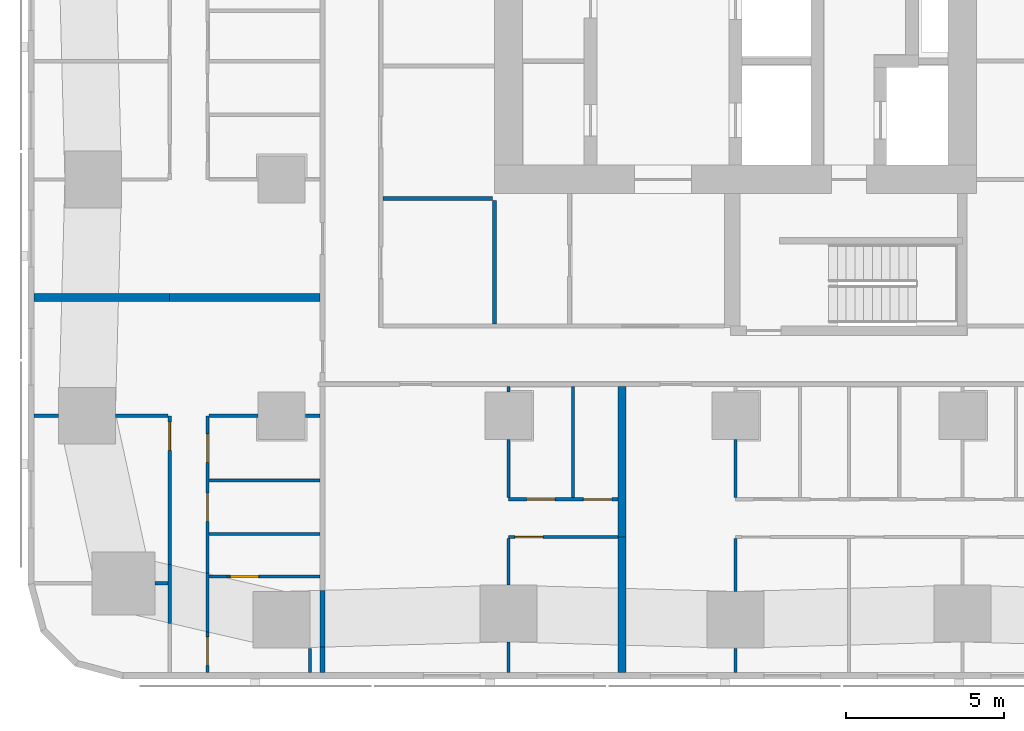
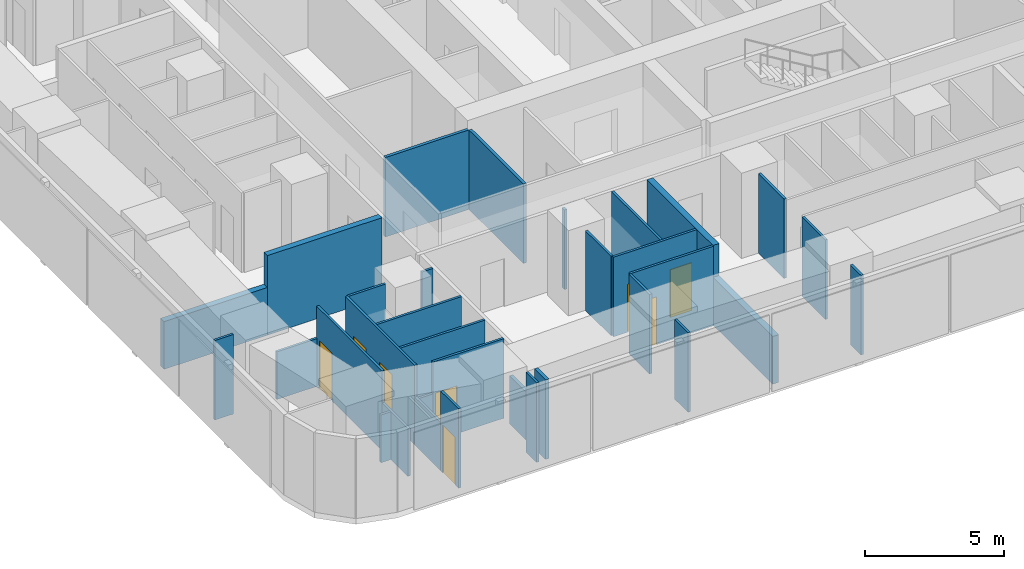
# One storey, part 2 of 15: 33 walls, 8 doors, 8 openings.
"""IFC4 building model written with IfcOpenShell, lengths in metres."""

import ifcopenshell
import ifcopenshell.guid

model = None  # the IFC model being written
_history = None  # IfcOwnerHistory: only IFC2X3 demands one
_inside = {}  # id of a spatial element -> (the spatial element, [elements in it])
_under = {}  # id of a project, library or spatial element -> (it, [spatial elements below it])
_declared = {}  # id of a project -> (the project, [libraries it declares])
_typed = {}  # id of a type object -> (the type object, [elements of that type])
_made_of = {}  # id of a material, layer set ... -> (it, [elements and type objects made of it])


def new_model(schema):
    """Start an empty IFC model of exactly this schema.

    Asked for "IFC4X3", IfcOpenShell would pick the latest addendum, in which some entities
    have other attributes; the version numbers below select the first issue.
    IFC2X3 requires an IfcOwnerHistory on every rooted entity: one is made here for all.
    """
    global model, _history
    if schema == "IFC4X3":
        model = ifcopenshell.file(schema_version=(4, 3, 0, 0))
    else:
        model = ifcopenshell.file(schema=schema)
    _inside.clear()
    _under.clear()
    _declared.clear()
    _typed.clear()
    _made_of.clear()
    _history = None
    if model.schema == "IFC2X3":
        org = make("IfcOrganization", Name="unknown")
        user = make(
            "IfcPersonAndOrganization",
            ThePerson=make("IfcPerson", FamilyName="unknown"),
            TheOrganization=org,
        )
        app = make(
            "IfcApplication",
            ApplicationDeveloper=org,
            Version="unknown",
            ApplicationFullName="unknown",
            ApplicationIdentifier="unknown",
        )
        _history = make(
            "IfcOwnerHistory",
            OwningUser=user,
            OwningApplication=app,
            ChangeAction="ADDED",
            CreationDate=0,
        )
    return model


def make(cls, **values):
    """One entity of the class cls with the attributes given. An attribute that is None is left unset."""
    return model.create_entity(
        cls, **{name: value for name, value in values.items() if value is not None}
    )


def rooted(cls, **values):
    """An entity with a GlobalId (a new one), such as an element, a storey or a relation."""
    return make(cls, GlobalId=ifcopenshell.guid.new(), OwnerHistory=_history, **values)


def si_unit(unit_type, name, prefix=None):
    """IfcSIUnit, for example si_unit("LENGTHUNIT", "METRE", prefix="MILLI")."""
    return make("IfcSIUnit", UnitType=unit_type, Prefix=prefix, Name=name)


def assignment(units):
    """IfcUnitAssignment: the units of a project."""
    return None if units is None else make("IfcUnitAssignment", Units=units)


def point(xyz):
    """IfcCartesianPoint."""
    return None if xyz is None else make("IfcCartesianPoint", Coordinates=xyz)


def direction(xyz):
    """IfcDirection."""
    return None if xyz is None else make("IfcDirection", DirectionRatios=xyz)


def frame(location, z_axis=None, x_axis=None):
    """IfcAxis2Placement3D, a coordinate frame: its origin and axes. An axis left out is left unset."""
    return make(
        "IfcAxis2Placement3D",
        Location=point(location),
        Axis=direction(z_axis),
        RefDirection=direction(x_axis),
    )


def frame_2d(location, x_axis=None):
    """IfcAxis2Placement2D, a coordinate frame in the plane: its origin and x axis."""
    return make(
        "IfcAxis2Placement2D", Location=point(location), RefDirection=direction(x_axis)
    )


def origin():
    """The frame at (0, 0, 0) with its axes left unset."""
    return frame((0.0, 0.0, 0.0))


def place(relative_to, where):
    """IfcLocalPlacement: puts the frame where relative to a parent placement (None: the world)."""
    return make(
        "IfcLocalPlacement", PlacementRelTo=relative_to, RelativePlacement=where
    )


def context(
    kind, dimensions, precision=None, world=None, true_north=None, identifier=None
):
    """IfcGeometricRepresentationContext, for example the 3D "Model" context."""
    return make(
        "IfcGeometricRepresentationContext",
        ContextIdentifier=identifier,
        ContextType=kind,
        CoordinateSpaceDimension=dimensions,
        Precision=precision,
        WorldCoordinateSystem=world,
        TrueNorth=true_north,
    )


def subcontext(parent, identifier, kind, view, scale=None):
    """IfcGeometricRepresentationSubContext, for example "Body" below "Model"."""
    return make(
        "IfcGeometricRepresentationSubContext",
        ContextIdentifier=identifier,
        ContextType=kind,
        ParentContext=parent,
        TargetScale=scale,
        TargetView=view,
    )


def project(units=None, contexts=None):
    """IfcProject with its units and contexts."""
    return rooted(
        "IfcProject",
        Name="project",
        RepresentationContexts=contexts,
        UnitsInContext=assignment(units),
    )


def spatial(cls, under=None, at=None, **own):
    """A site, building, storey or space (cls), placed at a placement, below another one or the project."""
    s = rooted(cls, ObjectPlacement=at, **own)
    if under is not None:
        _under.setdefault(under.id(), (under, []))[1].append(s)
    return s


def profile(cls, at=None, kind="AREA", **sizes):
    """A parametric profile (cls). Its sizes go by their IFC names, for example OverallWidth=200.0."""
    return make(cls, ProfileType=kind, Position=at, **sizes)


def rectangle(**sizes):
    """IfcRectangleProfileDef."""
    return profile("IfcRectangleProfileDef", **sizes)


def extrude(swept, where, along, depth):
    """IfcExtrudedAreaSolid: the profile swept, set in the frame where, extruded along a direction by depth."""
    return make(
        "IfcExtrudedAreaSolid",
        SweptArea=swept,
        Position=where,
        ExtrudedDirection=direction(along),
        Depth=depth,
    )


def shape(context_of_items, identifier, shape_type, items):
    """IfcShapeRepresentation: the items that make up one representation, for example the "Body"."""
    return make(
        "IfcShapeRepresentation",
        ContextOfItems=context_of_items,
        RepresentationIdentifier=identifier,
        RepresentationType=shape_type,
        Items=items,
    )


def material(Name=None, Category=None):
    """IfcMaterial."""
    return make("IfcMaterial", Name=Name, Category=Category)


def layer(
    of_material, thickness, ventilated=None, Name=None, Category=None, Priority=None
):
    """IfcMaterialLayer: one layer of a wall or slab, of a material (None: an air gap)."""
    return make(
        "IfcMaterialLayer",
        Material=of_material,
        LayerThickness=thickness,
        IsVentilated=ventilated,
        Name=Name,
        Category=Category,
        Priority=Priority,
    )


def layer_set(layers, Name=None):
    """IfcMaterialLayerSet."""
    return make("IfcMaterialLayerSet", MaterialLayers=layers, LayerSetName=Name)


def made_of(thing, what):
    """Note that an element or type object is made of a material, layer set ...; save() writes the relation."""
    if what is not None:
        _made_of.setdefault(what.id(), (what, []))[1].append(thing)
    return thing


def type_object(cls, material=None, **own):
    """A type object (cls), such as IfcWallType, which elements share."""
    return made_of(rooted(cls, **own), material)


def element(
    cls,
    number,
    at=None,
    inside=None,
    cuts=None,
    type_object=None,
    material=None,
    context=None,
    identifier="Body",
    shape_type=None,
    held_by="IfcProductDefinitionShape",
    body=None,
    shapes=None,
    **own,
):
    """One element of the class cls, such as IfcWall. Its Tag is "e" and its number.

    at: its placement. inside: the storey or other place that contains it. cuts: it is an
    opening in that element (IfcRelVoidsElement). A single representation is given by context,
    identifier, shape_type and body (its items); several are given by shapes. held_by: the class
    of the entity that holds the representations. save() writes the other relations.
    """
    e = rooted(cls, Tag="e%d" % number, ObjectPlacement=at, **own)
    if body is not None:
        shapes = [shape(context, identifier, shape_type, body)]
    if shapes is not None:
        e.Representation = make(held_by, Representations=shapes)
    if inside is not None:
        _inside.setdefault(inside.id(), (inside, []))[1].append(e)
    if cuts is not None:
        rooted(
            "IfcRelVoidsElement", RelatingBuildingElement=cuts, RelatedOpeningElement=e
        )
    if type_object is not None:
        _typed.setdefault(type_object.id(), (type_object, []))[1].append(e)
    return made_of(e, material)


def fill(opening, filler):
    """IfcRelFillsElement: the door or window that sits in an opening."""
    return rooted(
        "IfcRelFillsElement",
        RelatingOpeningElement=opening,
        RelatedBuildingElement=filler,
    )


def aggregate(whole, parts):
    """IfcRelAggregates: a whole, such as a stair, and the parts it consists of."""
    return rooted("IfcRelAggregates", RelatingObject=whole, RelatedObjects=parts)


def save(model, path):
    """Write the relations noted so far, then the file.

    IfcRelAggregates (storeys below a building ...), IfcRelContainedInSpatialStructure (elements
    in a storey), IfcRelDefinesByType, IfcRelAssociatesMaterial and IfcRelDeclares: one each for
    every whole, place, type object, material and project.
    """
    for whole, parts in _under.values():
        aggregate(whole, parts)
    for where, things in _inside.values():
        rooted(
            "IfcRelContainedInSpatialStructure",
            RelatedElements=things,
            RelatingStructure=where,
        )
    for kind, things in _typed.values():
        rooted("IfcRelDefinesByType", RelatedObjects=things, RelatingType=kind)
    for what, things in _made_of.values():
        rooted("IfcRelAssociatesMaterial", RelatedObjects=things, RelatingMaterial=what)
    for by, libraries in _declared.values():
        rooted("IfcRelDeclares", RelatingContext=by, RelatedDefinitions=libraries)
    model.write(path)


model = new_model("IFC4")

# Units and contexts
model_context = context("Model", 3, precision=1e-05, world=origin(), true_north=direction((0.0, 1.0)))
body_context = subcontext(model_context, "Body", "Model", "MODEL_VIEW")
ifc_project = project(units=[si_unit("LENGTHUNIT", "METRE"), si_unit("AREAUNIT", "SQUARE_METRE"), si_unit("VOLUMEUNIT", "CUBIC_METRE"), si_unit("PLANEANGLEUNIT", "RADIAN"), si_unit("MASSUNIT", "GRAM", prefix="KILO")], contexts=[model_context])

# Site, building, storey
site_placement = place(None, origin())
site = spatial("IfcSite", under=ifc_project, at=site_placement, CompositionType="ELEMENT")
building_placement = place(site_placement, origin())
building = spatial("IfcBuilding", under=site, at=building_placement, Name="Sheger Commons Tower", CompositionType="ELEMENT")
storey_placement = place(building_placement, frame((0.0, 0.0, 143.300048828125)))
storey = spatial("IfcBuildingStorey", under=building, at=storey_placement, Name="L36", CompositionType="ELEMENT", Elevation=143.300048828125)

# Walls
ifc_material_1 = material(Name="Hollow concrete block masonry, skimmed both sides", Category="masonry")
ifc_layer_1 = layer(ifc_material_1, 0.14990234375)
ifc_layer_set_1 = layer_set([ifc_layer_1], Name="CORRIDOR WALL 150")
wall_type_1 = type_object("IfcWallType", Name="CORRIDOR WALL 150", PredefinedType="SOLIDWALL", material=ifc_layer_set_1)
wall_1_placement = place(storey_placement, frame((8.5, -0.64990234375, 0.0), z_axis=(0.0, 0.0, 1.0), x_axis=(0.0, 1.0, 0.0)))
element("IfcWall", 1, at=wall_1_placement, inside=storey, type_object=wall_type_1, Name="Corridor wall L36", PredefinedType="SOLIDWALL", context=body_context, shape_type="SweptSolid", body=[
    extrude(rectangle(XDim=0.808837890625, YDim=0.14990234375, at=frame_2d((0.404296875, 0.0))), origin(), (0.0, 0.0, 1.0), 3.5),
])
wall_2_placement = place(storey_placement, frame((8.5, 0.158935546875, 0.0), z_axis=(0.0, 0.0, 1.0), x_axis=(0.0, 1.0, 0.0)))
element("IfcWall", 2, at=wall_2_placement, inside=storey, type_object=wall_type_1, Name="Corridor wall L36", PredefinedType="SOLIDWALL", context=body_context, shape_type="SweptSolid", body=[
    extrude(rectangle(XDim=1.80517578125, YDim=0.14990234375, at=frame_2d((0.902587890625, 0.0))), origin(), (0.0, 0.0, 1.0), 2.099853515625),
])
ifc_material_2 = material(Name="Dense concrete block masonry, plastered both sides (separating wall between flats)", Category="masonry")
ifc_layer_2 = layer(ifc_material_2, 0.25)
ifc_layer_set_2 = layer_set([ifc_layer_2], Name="DEMISING WALL 250")
wall_type_2 = type_object("IfcWallType", Name="DEMISING WALL 250", PredefinedType="SOLIDWALL", material=ifc_layer_set_2)
wall_3_placement = place(storey_placement, frame((-0.64990234375, 11.25, 0.0), z_axis=(0.0, 0.0, 1.0), x_axis=(1.0, 0.0, 0.0)))
element("IfcWall", 3, at=wall_3_placement, inside=storey, type_object=wall_type_2, Name="Demising wall L36", PredefinedType="SOLIDWALL", context=body_context, shape_type="SweptSolid", body=[
    extrude(rectangle(XDim=4.2998046875, YDim=0.25, at=frame_2d((2.14990234375, 0.0))), origin(), (0.0, 0.0, 1.0), 2.099853515625),
])
wall_4_placement = place(storey_placement, frame((3.64990234375, 11.25, 0.0), z_axis=(0.0, 0.0, 1.0), x_axis=(1.0, 0.0, 0.0)))
element("IfcWall", 4, at=wall_4_placement, inside=storey, type_object=wall_type_2, Name="Demising wall L36", PredefinedType="SOLIDWALL", context=body_context, shape_type="SweptSolid", body=[
    extrude(rectangle(XDim=4.775146484375, YDim=0.25, at=frame_2d((2.3876953125, 0.0))), origin(), (0.0, 0.0, 1.0), 3.5),
])
wall_5_placement = place(storey_placement, frame((18.0, -0.64990234375, 0.0), z_axis=(0.0, 0.0, 1.0), x_axis=(0.0, 1.0, 0.0)))
element("IfcWall", 5, at=wall_5_placement, inside=storey, type_object=wall_type_2, Name="Demising wall L36", PredefinedType="SOLIDWALL", context=body_context, shape_type="SweptSolid", body=[
    extrude(rectangle(XDim=4.2998046875, YDim=0.25, at=frame_2d((2.14990234375, 0.0))), origin(), (0.0, 0.0, 1.0), 2.099853515625),
])
wall_6_placement = place(storey_placement, frame((18.0, 3.64990234375, 0.0), z_axis=(0.0, 0.0, 1.0), x_axis=(0.0, 1.0, 0.0)))
element("IfcWall", 6, at=wall_6_placement, inside=storey, type_object=wall_type_2, Name="Demising wall L36", PredefinedType="SOLIDWALL", context=body_context, shape_type="SweptSolid", body=[
    extrude(rectangle(XDim=4.775146484375, YDim=0.25, at=frame_2d((2.3876953125, 0.0))), origin(), (0.0, 0.0, 1.0), 3.5),
])
ifc_material_3 = material(Name="Gypsum board on steel studs", Category="steel")
ifc_layer_3 = layer(ifc_material_3, 0.10009765625)
ifc_layer_set_3 = layer_set([ifc_layer_3], Name="PARTITION 100")
wall_type_3 = type_object("IfcWallType", Name="PARTITION 100", PredefinedType="PARTITIONING", material=ifc_layer_set_3)
wall_7_placement = place(storey_placement, frame((8.10009765625, 0.1240234375, 0.0), z_axis=(0.0, 0.0, 1.0), x_axis=(0.0, -1.0, 0.0)))
element("IfcWall", 7, at=wall_7_placement, inside=storey, type_object=wall_type_3, Name="Partition L36", PredefinedType="PARTITIONING", context=body_context, shape_type="SweptSolid", body=[
    extrude(rectangle(XDim=0.77392578125, YDim=0.10009765625, at=frame_2d((0.386962890625, 0.0))), origin(), (0.0, 0.0, 1.0), 3.5),
])
wall_8_placement = place(storey_placement, frame((3.64990234375, 0.912109375, 0.0), z_axis=(0.0, 0.0, 1.0), x_axis=(0.0, 1.0, 0.0)))
element("IfcWall", 8, at=wall_8_placement, inside=storey, type_object=wall_type_3, Name="Partition L36", PredefinedType="PARTITIONING", context=body_context, shape_type="SweptSolid", body=[
    extrude(rectangle(XDim=1.869873046875, YDim=0.10009765625, at=frame_2d((0.93505859375, 0.0))), origin(), (0.0, 0.0, 1.0), 2.099853515625),
])

# Wall, opening, door
wall_9_placement = place(storey_placement, frame((3.64990234375, 2.781982421875, 0.0), z_axis=(0.0, 0.0, 1.0), x_axis=(0.0, 1.0, 0.0)))
wall_9 = element("IfcWall", 9, at=wall_9_placement, inside=storey, type_object=wall_type_3, Name="Partition L36", PredefinedType="PARTITIONING", context=body_context, shape_type="SweptSolid", body=[
    extrude(rectangle(XDim=4.718017578125, YDim=0.10009765625, at=frame_2d((2.35888671875, 0.0))), origin(), (0.0, 0.0, 1.0), 3.5),
])
opening_1_placement = place(wall_9_placement, frame((3.617919921875, 0.0, 0.0)))
opening_1 = element("IfcOpeningElement", 10, at=opening_1_placement, cuts=wall_9, Name="Opening D2", PredefinedType="OPENING", context=body_context, shape_type="SweptSolid", body=[
    extrude(rectangle(XDim=0.89990234375, YDim=2.10009765625, at=frame_2d((0.449951171875, 1.050048828125))), frame((0.0, 0.06005859375, 0.0), z_axis=(0.0, -1.0, 0.0), x_axis=(1.0, 0.0, 0.0)), (0.0, 0.0, 1.0), 0.1201171875),
])
ifc_material_4 = material(Name="Timber door set", Category="wood")
door_type = type_object("IfcDoorType", Name="INTERNAL DOOR 900x2100", OperationType="NOTDEFINED", PredefinedType="DOOR", material=ifc_material_4)
door_1_placement = place(opening_1_placement, origin())
door_1 = element("IfcDoor", 11, at=door_1_placement, inside=storey, type_object=door_type, Name="Main bedroom door", OperationType="SINGLE_SWING_RIGHT", OverallHeight=2.10009765625, OverallWidth=0.89990234375, PredefinedType="DOOR", context=body_context, shape_type="SweptSolid", body=[
    extrude(rectangle(XDim=0.89990234375, YDim=2.10009765625, at=frame_2d((0.449951171875, 1.050048828125))), frame((0.0, 0.02490234375, 0.0), z_axis=(0.0, -1.0, 0.0), x_axis=(1.0, 0.0, 0.0)), (0.0, 0.0, 1.0), 0.050048828125),
])
fill(opening_1, door_1)

wall_10_placement = place(storey_placement, frame((4.85009765625, -0.64990234375, 0.0), z_axis=(0.0, 0.0, 1.0), x_axis=(0.0, 1.0, 0.0)))
wall_10 = element("IfcWall", 12, at=wall_10_placement, inside=storey, type_object=wall_type_3, Name="Partition L36", PredefinedType="PARTITIONING", context=body_context, shape_type="SweptSolid", body=[
    extrude(rectangle(XDim=1.283935546875, YDim=0.10009765625, at=frame_2d((0.64208984375, 0.0))), origin(), (0.0, 0.0, 1.0), 3.5),
])
opening_2_placement = place(wall_10_placement, frame((0.23388671875, 0.0, 0.0)))
opening_2 = element("IfcOpeningElement", 13, at=opening_2_placement, cuts=wall_10, Name="Opening D2", PredefinedType="OPENING", context=body_context, shape_type="SweptSolid", body=[
    extrude(rectangle(XDim=0.89990234375, YDim=2.10009765625, at=frame_2d((0.449951171875, 1.050048828125))), frame((0.0, 0.06005859375, 0.0), z_axis=(0.0, -1.0, 0.0), x_axis=(1.0, 0.0, 0.0)), (0.0, 0.0, 1.0), 0.1201171875),
])
door_2_placement = place(opening_2_placement, origin())
door_2 = element("IfcDoor", 14, at=door_2_placement, inside=storey, type_object=door_type, Name="Store and laundry door", OperationType="SINGLE_SWING_LEFT", OverallHeight=2.10009765625, OverallWidth=0.89990234375, PredefinedType="DOOR", context=body_context, shape_type="SweptSolid", body=[
    extrude(rectangle(XDim=0.89990234375, YDim=2.10009765625, at=frame_2d((0.449951171875, 1.050048828125))), frame((0.0, 0.02490234375, 0.0), z_axis=(0.0, -1.0, 0.0), x_axis=(1.0, 0.0, 0.0)), (0.0, 0.0, 1.0), 0.050048828125),
])
fill(opening_2, door_2)

# Wall
wall_11_placement = place(storey_placement, frame((4.85009765625, 0.634033203125, 0.0), z_axis=(0.0, 0.0, 1.0), x_axis=(0.0, 1.0, 0.0)))
element("IfcWall", 15, at=wall_11_placement, inside=storey, type_object=wall_type_3, Name="Partition L36", PredefinedType="PARTITIONING", context=body_context, shape_type="SweptSolid", body=[
    extrude(rectangle(XDim=1.870849609375, YDim=0.10009765625, at=frame_2d((0.935546875, 0.0))), origin(), (0.0, 0.0, 1.0), 2.099853515625),
])

# Wall, openings, doors
wall_12_placement = place(storey_placement, frame((4.85009765625, 2.5048828125, 0.0), z_axis=(0.0, 0.0, 1.0), x_axis=(0.0, 1.0, 0.0)))
wall_12 = element("IfcWall", 16, at=wall_12_placement, inside=storey, type_object=wall_type_3, Name="Partition L36", PredefinedType="PARTITIONING", context=body_context, shape_type="SweptSolid", body=[
    extrude(rectangle(XDim=4.9951171875, YDim=0.10009765625, at=frame_2d((2.49755859375, 0.0))), origin(), (0.0, 0.0, 1.0), 3.5),
])
opening_3_placement = place(wall_12_placement, frame((3.52001953125, 0.0, 0.0)))
opening_3 = element("IfcOpeningElement", 17, at=opening_3_placement, cuts=wall_12, Name="Opening D2", PredefinedType="OPENING", context=body_context, shape_type="SweptSolid", body=[
    extrude(rectangle(XDim=0.89990234375, YDim=2.10009765625, at=frame_2d((0.449951171875, 1.050048828125))), frame((0.0, 0.06005859375, 0.0), z_axis=(0.0, -1.0, 0.0), x_axis=(1.0, 0.0, 0.0)), (0.0, 0.0, 1.0), 0.1201171875),
])
opening_4_placement = place(wall_12_placement, frame((1.64501953125, 0.0, 0.0)))
opening_4 = element("IfcOpeningElement", 18, at=opening_4_placement, cuts=wall_12, Name="Opening D2", PredefinedType="OPENING", context=body_context, shape_type="SweptSolid", body=[
    extrude(rectangle(XDim=0.89990234375, YDim=2.10009765625, at=frame_2d((0.449951171875, 1.050048828125))), frame((0.0, 0.06005859375, 0.0), z_axis=(0.0, -1.0, 0.0), x_axis=(1.0, 0.0, 0.0)), (0.0, 0.0, 1.0), 0.1201171875),
])
door_3_placement = place(opening_3_placement, origin())
door_3 = element("IfcDoor", 19, at=door_3_placement, inside=storey, type_object=door_type, Name="Bathroom door", OperationType="SINGLE_SWING_LEFT", OverallHeight=2.10009765625, OverallWidth=0.89990234375, PredefinedType="DOOR", context=body_context, shape_type="SweptSolid", body=[
    extrude(rectangle(XDim=0.89990234375, YDim=2.10009765625, at=frame_2d((0.449951171875, 1.050048828125))), frame((0.0, 0.02490234375, 0.0), z_axis=(0.0, -1.0, 0.0), x_axis=(1.0, 0.0, 0.0)), (0.0, 0.0, 1.0), 0.050048828125),
])
fill(opening_3, door_3)
door_4_placement = place(opening_4_placement, origin())
door_4 = element("IfcDoor", 20, at=door_4_placement, inside=storey, type_object=door_type, Name="Store door", OperationType="SINGLE_SWING_RIGHT", OverallHeight=2.10009765625, OverallWidth=0.89990234375, PredefinedType="DOOR", context=body_context, shape_type="SweptSolid", body=[
    extrude(rectangle(XDim=0.89990234375, YDim=2.10009765625, at=frame_2d((0.449951171875, 1.050048828125))), frame((0.0, 0.02490234375, 0.0), z_axis=(0.0, -1.0, 0.0), x_axis=(1.0, 0.0, 0.0)), (0.0, 0.0, 1.0), 0.050048828125),
])
fill(opening_4, door_4)

# Walls
wall_13_placement = place(storey_placement, frame((3.18701171875, 2.18603515625, 0.0), z_axis=(0.0, 0.0, 1.0), x_axis=(1.0, 0.0, 0.0)))
element("IfcWall", 21, at=wall_13_placement, inside=storey, type_object=wall_type_3, Name="Partition L36", PredefinedType="PARTITIONING", context=body_context, shape_type="SweptSolid", body=[
    extrude(rectangle(XDim=0.4130859375, YDim=0.10009765625, at=frame_2d((0.20654296875, 0.0))), origin(), (0.0, 0.0, 1.0), 2.099853515625),
])
wall_14_placement = place(storey_placement, frame((-0.64990234375, 7.5, 0.0), z_axis=(0.0, 0.0, 1.0), x_axis=(1.0, 0.0, 0.0)))
element("IfcWall", 22, at=wall_14_placement, inside=storey, type_object=wall_type_3, Name="Partition L36", PredefinedType="PARTITIONING", context=body_context, shape_type="SweptSolid", body=[
    extrude(rectangle(XDim=0.77392578125, YDim=0.10009765625, at=frame_2d((0.386962890625, 0.0))), origin(), (0.0, 0.0, 1.0), 3.5),
])
wall_15_placement = place(storey_placement, frame((1.926025390625, 7.5, 0.0), z_axis=(0.0, 0.0, 1.0), x_axis=(1.0, 0.0, 0.0)))
element("IfcWall", 23, at=wall_15_placement, inside=storey, type_object=wall_type_3, Name="Partition L36", PredefinedType="PARTITIONING", context=body_context, shape_type="SweptSolid", body=[
    extrude(rectangle(XDim=1.674072265625, YDim=0.10009765625, at=frame_2d((0.8369140625, 0.0))), origin(), (0.0, 0.0, 1.0), 2.099853515625),
])
wall_16_placement = place(storey_placement, frame((4.89990234375, 3.75, 0.0), z_axis=(0.0, 0.0, 1.0), x_axis=(1.0, 0.0, 0.0)))
element("IfcWall", 24, at=wall_16_placement, inside=storey, type_object=wall_type_3, Name="Partition L36", PredefinedType="PARTITIONING", context=body_context, shape_type="SweptSolid", body=[
    extrude(rectangle(XDim=3.525146484375, YDim=0.10009765625, at=frame_2d((1.7626953125, 0.0))), origin(), (0.0, 0.0, 1.0), 3.5),
])
wall_17_placement = place(storey_placement, frame((4.89990234375, 7.5, 0.0), z_axis=(0.0, 0.0, 1.0), x_axis=(1.0, 0.0, 0.0)))
element("IfcWall", 25, at=wall_17_placement, inside=storey, type_object=wall_type_3, Name="Partition L36", PredefinedType="PARTITIONING", context=body_context, shape_type="SweptSolid", body=[
    extrude(rectangle(XDim=1.549072265625, YDim=0.10009765625, at=frame_2d((0.7744140625, 0.0))), origin(), (0.0, 0.0, 1.0), 3.5),
])
wall_18_placement = place(storey_placement, frame((7.950927734375, 7.5, 0.0), z_axis=(0.0, 0.0, 1.0), x_axis=(1.0, 0.0, 0.0)))
element("IfcWall", 26, at=wall_18_placement, inside=storey, type_object=wall_type_3, Name="Partition L36", PredefinedType="PARTITIONING", context=body_context, shape_type="SweptSolid", body=[
    extrude(rectangle(XDim=0.47412109375, YDim=0.10009765625, at=frame_2d((0.237060546875, 0.0))), origin(), (0.0, 0.0, 1.0), 3.5),
])
wall_19_placement = place(storey_placement, frame((4.89990234375, 5.449951171875, 0.0), z_axis=(0.0, 0.0, 1.0), x_axis=(1.0, 0.0, 0.0)))
element("IfcWall", 27, at=wall_19_placement, inside=storey, type_object=wall_type_3, Name="Partition L36", PredefinedType="PARTITIONING", context=body_context, shape_type="SweptSolid", body=[
    extrude(rectangle(XDim=3.525146484375, YDim=0.10009765625, at=frame_2d((1.7626953125, 0.0))), origin(), (0.0, 0.0, 1.0), 3.5),
])

# Wall, opening, door
wall_20_placement = place(storey_placement, frame((17.875, 3.64990234375, 0.0), z_axis=(0.0, 0.0, 1.0), x_axis=(-1.0, 0.0, 0.0)))
wall_20 = element("IfcWall", 28, at=wall_20_placement, inside=storey, type_object=wall_type_3, Name="Partition L36", PredefinedType="PARTITIONING", context=body_context, shape_type="SweptSolid", body=[
    extrude(rectangle(XDim=3.47509765625, YDim=0.10009765625, at=frame_2d((1.737548828125, 0.0))), origin(), (0.0, 0.0, 1.0), 3.5),
])
opening_5_placement = place(wall_20_placement, frame((2.375, 0.0, 0.0)))
opening_5 = element("IfcOpeningElement", 29, at=opening_5_placement, cuts=wall_20, Name="Opening D2", PredefinedType="OPENING", context=body_context, shape_type="SweptSolid", body=[
    extrude(rectangle(XDim=0.89990234375, YDim=2.10009765625, at=frame_2d((0.449951171875, 1.050048828125))), frame((0.0, 0.06005859375, 0.0), z_axis=(0.0, -1.0, 0.0), x_axis=(1.0, 0.0, 0.0)), (0.0, 0.0, 1.0), 0.1201171875),
])
door_5_placement = place(opening_5_placement, origin())
door_5 = element("IfcDoor", 30, at=door_5_placement, inside=storey, type_object=door_type, Name="Main bedroom door", OperationType="SINGLE_SWING_RIGHT", OverallHeight=2.10009765625, OverallWidth=0.89990234375, PredefinedType="DOOR", context=body_context, shape_type="SweptSolid", body=[
    extrude(rectangle(XDim=0.89990234375, YDim=2.10009765625, at=frame_2d((0.449951171875, 1.050048828125))), frame((0.0, 0.02490234375, 0.0), z_axis=(0.0, -1.0, 0.0), x_axis=(1.0, 0.0, 0.0)), (0.0, 0.0, 1.0), 0.050048828125),
])
fill(opening_5, door_5)

# Wall, openings, doors
wall_21_placement = place(storey_placement, frame((17.875, 4.85009765625, 0.0), z_axis=(0.0, 0.0, 1.0), x_axis=(-1.0, 0.0, 0.0)))
wall_21 = element("IfcWall", 31, at=wall_21_placement, inside=storey, type_object=wall_type_3, Name="Partition L36", PredefinedType="PARTITIONING", context=body_context, shape_type="SweptSolid", body=[
    extrude(rectangle(XDim=3.47509765625, YDim=0.10009765625, at=frame_2d((1.737548828125, 0.0))), origin(), (0.0, 0.0, 1.0), 3.5),
])
opening_6_placement = place(wall_21_placement, frame((2.0, 0.0, 0.0)))
opening_6 = element("IfcOpeningElement", 32, at=opening_6_placement, cuts=wall_21, Name="Opening D2", PredefinedType="OPENING", context=body_context, shape_type="SweptSolid", body=[
    extrude(rectangle(XDim=0.89990234375, YDim=2.10009765625, at=frame_2d((0.449951171875, 1.050048828125))), frame((0.0, 0.06005859375, 0.0), z_axis=(0.0, -1.0, 0.0), x_axis=(1.0, 0.0, 0.0)), (0.0, 0.0, 1.0), 0.1201171875),
])
opening_7_placement = place(wall_21_placement, frame((0.199951171875, 0.0, 0.0)))
opening_7 = element("IfcOpeningElement", 33, at=opening_7_placement, cuts=wall_21, Name="Opening D2", PredefinedType="OPENING", context=body_context, shape_type="SweptSolid", body=[
    extrude(rectangle(XDim=0.89990234375, YDim=2.10009765625, at=frame_2d((0.449951171875, 1.050048828125))), frame((0.0, 0.06005859375, 0.0), z_axis=(0.0, -1.0, 0.0), x_axis=(1.0, 0.0, 0.0)), (0.0, 0.0, 1.0), 0.1201171875),
])
door_6_placement = place(opening_6_placement, origin())
door_6 = element("IfcDoor", 34, at=door_6_placement, inside=storey, type_object=door_type, Name="Bathroom door", OperationType="SINGLE_SWING_LEFT", OverallHeight=2.10009765625, OverallWidth=0.89990234375, PredefinedType="DOOR", context=body_context, shape_type="SweptSolid", body=[
    extrude(rectangle(XDim=0.89990234375, YDim=2.10009765625, at=frame_2d((0.449951171875, 1.050048828125))), frame((0.0, 0.02490234375, 0.0), z_axis=(0.0, -1.0, 0.0), x_axis=(1.0, 0.0, 0.0)), (0.0, 0.0, 1.0), 0.050048828125),
])
fill(opening_6, door_6)
door_7_placement = place(opening_7_placement, origin())
door_7 = element("IfcDoor", 35, at=door_7_placement, inside=storey, type_object=door_type, Name="Store door", OperationType="SINGLE_SWING_RIGHT", OverallHeight=2.10009765625, OverallWidth=0.89990234375, PredefinedType="DOOR", context=body_context, shape_type="SweptSolid", body=[
    extrude(rectangle(XDim=0.89990234375, YDim=2.10009765625, at=frame_2d((0.449951171875, 1.050048828125))), frame((0.0, 0.02490234375, 0.0), z_axis=(0.0, -1.0, 0.0), x_axis=(1.0, 0.0, 0.0)), (0.0, 0.0, 1.0), 0.050048828125),
])
fill(opening_7, door_7)

# Walls
wall_22_placement = place(storey_placement, frame((14.39990234375, -0.64990234375, 0.0), z_axis=(0.0, 0.0, 1.0), x_axis=(0.0, 1.0, 0.0)))
element("IfcWall", 36, at=wall_22_placement, inside=storey, type_object=wall_type_3, Name="Partition L36", PredefinedType="PARTITIONING", context=body_context, shape_type="SweptSolid", body=[
    extrude(rectangle(XDim=0.973876953125, YDim=0.10009765625, at=frame_2d((0.48681640625, 0.0))), origin(), (0.0, 0.0, 1.0), 3.5),
])
wall_23_placement = place(storey_placement, frame((14.39990234375, 2.1259765625, 0.0), z_axis=(0.0, 0.0, 1.0), x_axis=(0.0, 1.0, 0.0)))
element("IfcWall", 37, at=wall_23_placement, inside=storey, type_object=wall_type_3, Name="Partition L36", PredefinedType="PARTITIONING", context=body_context, shape_type="SweptSolid", body=[
    extrude(rectangle(XDim=1.47412109375, YDim=0.10009765625, at=frame_2d((0.737060546875, 0.0))), origin(), (0.0, 0.0, 1.0), 3.5),
])
wall_24_placement = place(storey_placement, frame((14.39990234375, 4.89990234375, 0.0), z_axis=(0.0, 0.0, 1.0), x_axis=(0.0, 1.0, 0.0)))
element("IfcWall", 38, at=wall_24_placement, inside=storey, type_object=wall_type_3, Name="Partition L36", PredefinedType="PARTITIONING", context=body_context, shape_type="SweptSolid", body=[
    extrude(rectangle(XDim=1.84912109375, YDim=0.10009765625, at=frame_2d((0.924560546875, 0.0))), origin(), (0.0, 0.0, 1.0), 3.5),
])
wall_25_placement = place(storey_placement, frame((14.39990234375, 8.2509765625, 0.0), z_axis=(0.0, 0.0, 1.0), x_axis=(0.0, 1.0, 0.0)))
element("IfcWall", 39, at=wall_25_placement, inside=storey, type_object=wall_type_3, Name="Partition L36", PredefinedType="PARTITIONING", context=body_context, shape_type="SweptSolid", body=[
    extrude(rectangle(XDim=0.174072265625, YDim=0.10009765625, at=frame_2d((0.0869140625, 0.0))), origin(), (0.0, 0.0, 1.0), 3.5),
])
wall_26_placement = place(storey_placement, frame((16.449951171875, 4.89990234375, 0.0), z_axis=(0.0, 0.0, 1.0), x_axis=(0.0, 1.0, 0.0)))
element("IfcWall", 40, at=wall_26_placement, inside=storey, type_object=wall_type_3, Name="Partition L36", PredefinedType="PARTITIONING", context=body_context, shape_type="SweptSolid", body=[
    extrude(rectangle(XDim=3.525146484375, YDim=0.10009765625, at=frame_2d((1.7626953125, 0.0))), origin(), (0.0, 0.0, 1.0), 3.5),
])
wall_27_placement = place(storey_placement, frame((21.60009765625, -0.64990234375, 0.0), z_axis=(0.0, 0.0, 1.0), x_axis=(0.0, 1.0, 0.0)))
element("IfcWall", 41, at=wall_27_placement, inside=storey, type_object=wall_type_3, Name="Partition L36", PredefinedType="PARTITIONING", context=body_context, shape_type="SweptSolid", body=[
    extrude(rectangle(XDim=0.77392578125, YDim=0.10009765625, at=frame_2d((0.386962890625, 0.0))), origin(), (0.0, 0.0, 1.0), 3.5),
])
wall_28_placement = place(storey_placement, frame((21.60009765625, 1.926025390625, 0.0), z_axis=(0.0, 0.0, 1.0), x_axis=(0.0, 1.0, 0.0)))
element("IfcWall", 42, at=wall_28_placement, inside=storey, type_object=wall_type_3, Name="Partition L36", PredefinedType="PARTITIONING", context=body_context, shape_type="SweptSolid", body=[
    extrude(rectangle(XDim=1.674072265625, YDim=0.10009765625, at=frame_2d((0.8369140625, 0.0))), origin(), (0.0, 0.0, 1.0), 3.5),
])
wall_29_placement = place(storey_placement, frame((21.60009765625, 4.89990234375, 0.0), z_axis=(0.0, 0.0, 1.0), x_axis=(0.0, 1.0, 0.0)))
element("IfcWall", 43, at=wall_29_placement, inside=storey, type_object=wall_type_3, Name="Partition L36", PredefinedType="PARTITIONING", context=body_context, shape_type="SweptSolid", body=[
    extrude(rectangle(XDim=1.84912109375, YDim=0.10009765625, at=frame_2d((0.924560546875, 0.0))), origin(), (0.0, 0.0, 1.0), 3.5),
])

# Wall, opening, door
wall_30_placement = place(storey_placement, frame((5.467041015625, 2.39990234375, 0.0), z_axis=(0.0, 0.0, 1.0), x_axis=(1.0, 0.0, 0.0)))
wall_30 = element("IfcWall", 44, at=wall_30_placement, inside=storey, type_object=wall_type_3, Name="Partition L36", PredefinedType="PARTITIONING", context=body_context, shape_type="SweptSolid", body=[
    extrude(rectangle(XDim=2.9580078125, YDim=0.10009765625, at=frame_2d((1.47900390625, 0.0))), origin(), (0.0, 0.0, 1.0), 3.5),
])
opening_8_placement = place(wall_30_placement, frame((0.10791015625, 0.0, 0.0)))
opening_8 = element("IfcOpeningElement", 45, at=opening_8_placement, cuts=wall_30, Name="Opening D2", PredefinedType="OPENING", context=body_context, shape_type="SweptSolid", body=[
    extrude(rectangle(XDim=0.89990234375, YDim=2.10009765625, at=frame_2d((0.449951171875, 1.050048828125))), frame((0.0, 0.06005859375, 0.0), z_axis=(0.0, -1.0, 0.0), x_axis=(1.0, 0.0, 0.0)), (0.0, 0.0, 1.0), 0.1201171875),
])
door_8_placement = place(opening_8_placement, origin())
door_8 = element("IfcDoor", 46, at=door_8_placement, inside=storey, type_object=door_type, Name="Store door", OperationType="SINGLE_SWING_LEFT", OverallHeight=2.10009765625, OverallWidth=0.89990234375, PredefinedType="DOOR", context=body_context, shape_type="SweptSolid", body=[
    extrude(rectangle(XDim=0.89990234375, YDim=2.10009765625, at=frame_2d((0.449951171875, 1.050048828125))), frame((0.0, 0.02490234375, 0.0), z_axis=(0.0, -1.0, 0.0), x_axis=(1.0, 0.0, 0.0)), (0.0, 0.0, 1.0), 0.050048828125),
])
fill(opening_8, door_8)

# Walls
wall_31_placement = place(storey_placement, frame((5.467041015625, 2.39990234375, 0.0), z_axis=(0.0, 0.0, 1.0), x_axis=(-1.0, 0.0, 0.0)))
element("IfcWall", 47, at=wall_31_placement, inside=storey, type_object=wall_type_3, Name="Partition L36", PredefinedType="PARTITIONING", context=body_context, shape_type="SweptSolid", body=[
    extrude(rectangle(XDim=0.567138671875, YDim=0.10009765625, at=frame_2d((0.28369140625, 0.0))), origin(), (0.0, 0.0, 1.0), 2.099853515625),
])
ifc_material_5 = material(Name="Gypsum board on steel studs, two layers each side, fire rated", Category="steel")
ifc_layer_4 = layer(ifc_material_5, 0.125)
ifc_layer_set_4 = layer_set([ifc_layer_4], Name="SERVICE WALL 125")
wall_type_4 = type_object("IfcWallType", Name="SERVICE WALL 125", PredefinedType="PARTITIONING", material=ifc_layer_set_4)
wall_32_placement = place(storey_placement, frame((10.4130859375, 14.39990234375, 0.0), z_axis=(0.0, 0.0, 1.0), x_axis=(1.0, 0.0, 0.0)))
element("IfcWall", 48, at=wall_32_placement, inside=storey, type_object=wall_type_4, Name="Service room wall L36", PredefinedType="PARTITIONING", context=body_context, shape_type="SweptSolid", body=[
    extrude(rectangle(XDim=3.474853515625, YDim=0.125, at=frame_2d((1.7373046875, 0.0))), origin(), (0.0, 0.0, 1.0), 3.5),
])
wall_33_placement = place(storey_placement, frame((13.949951171875, 10.4130859375, 0.0), z_axis=(0.0, 0.0, 1.0), x_axis=(0.0, 1.0, 0.0)))
element("IfcWall", 49, at=wall_33_placement, inside=storey, type_object=wall_type_4, Name="Service room wall L36", PredefinedType="PARTITIONING", context=body_context, shape_type="SweptSolid", body=[
    extrude(rectangle(XDim=3.9248046875, YDim=0.125, at=frame_2d((1.96240234375, 0.0))), origin(), (0.0, 0.0, 1.0), 3.5),
])

save(model, "model.ifc")
